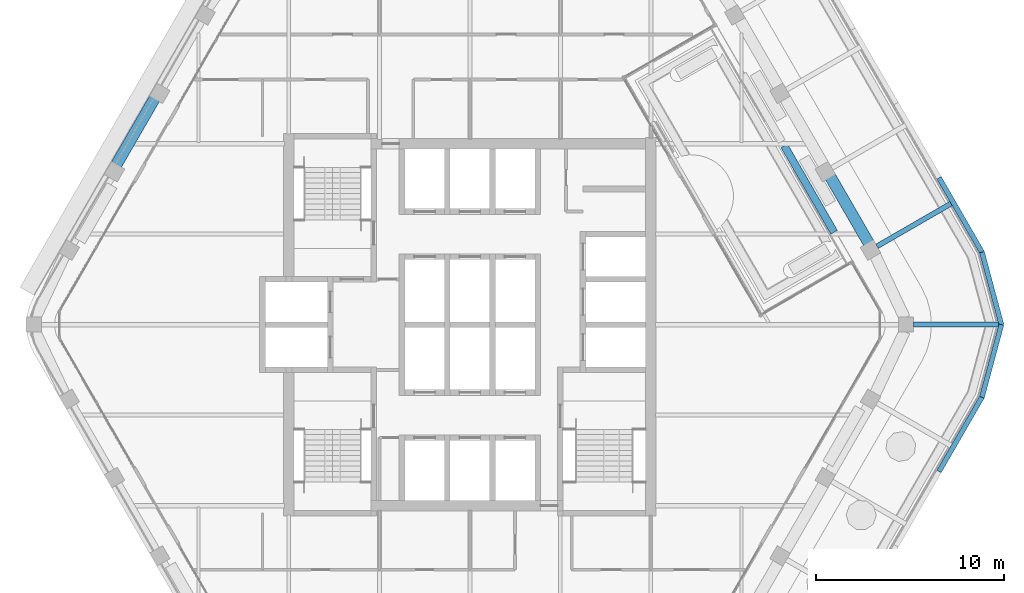
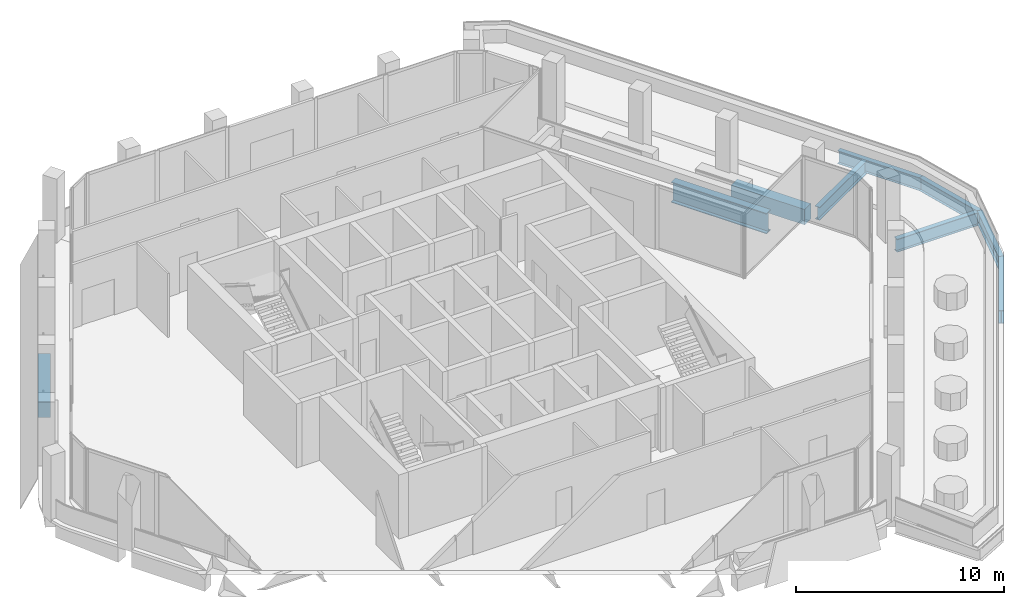
# One storey, part 5 of 17: 9 beams.
"""IFC4 building model written with IfcOpenShell, lengths in metres."""

import ifcopenshell
import ifcopenshell.guid

model = None  # the IFC model being written
_history = None  # IfcOwnerHistory: only IFC2X3 demands one
_inside = {}  # id of a spatial element -> (the spatial element, [elements in it])
_under = {}  # id of a project, library or spatial element -> (it, [spatial elements below it])
_declared = {}  # id of a project -> (the project, [libraries it declares])
_typed = {}  # id of a type object -> (the type object, [elements of that type])
_made_of = {}  # id of a material, layer set ... -> (it, [elements and type objects made of it])


def new_model(schema):
    """Start an empty IFC model of exactly this schema.

    Asked for "IFC4X3", IfcOpenShell would pick the latest addendum, in which some entities
    have other attributes; the version numbers below select the first issue.
    IFC2X3 requires an IfcOwnerHistory on every rooted entity: one is made here for all.
    """
    global model, _history
    if schema == "IFC4X3":
        model = ifcopenshell.file(schema_version=(4, 3, 0, 0))
    else:
        model = ifcopenshell.file(schema=schema)
    _inside.clear()
    _under.clear()
    _declared.clear()
    _typed.clear()
    _made_of.clear()
    _history = None
    if model.schema == "IFC2X3":
        org = make("IfcOrganization", Name="unknown")
        user = make(
            "IfcPersonAndOrganization",
            ThePerson=make("IfcPerson", FamilyName="unknown"),
            TheOrganization=org,
        )
        app = make(
            "IfcApplication",
            ApplicationDeveloper=org,
            Version="unknown",
            ApplicationFullName="unknown",
            ApplicationIdentifier="unknown",
        )
        _history = make(
            "IfcOwnerHistory",
            OwningUser=user,
            OwningApplication=app,
            ChangeAction="ADDED",
            CreationDate=0,
        )
    return model


def make(cls, **values):
    """One entity of the class cls with the attributes given. An attribute that is None is left unset."""
    return model.create_entity(
        cls, **{name: value for name, value in values.items() if value is not None}
    )


def rooted(cls, **values):
    """An entity with a GlobalId (a new one), such as an element, a storey or a relation."""
    return make(cls, GlobalId=ifcopenshell.guid.new(), OwnerHistory=_history, **values)


def si_unit(unit_type, name, prefix=None):
    """IfcSIUnit, for example si_unit("LENGTHUNIT", "METRE", prefix="MILLI")."""
    return make("IfcSIUnit", UnitType=unit_type, Prefix=prefix, Name=name)


def assignment(units):
    """IfcUnitAssignment: the units of a project."""
    return None if units is None else make("IfcUnitAssignment", Units=units)


def point(xyz):
    """IfcCartesianPoint."""
    return None if xyz is None else make("IfcCartesianPoint", Coordinates=xyz)


def direction(xyz):
    """IfcDirection."""
    return None if xyz is None else make("IfcDirection", DirectionRatios=xyz)


def frame(location, z_axis=None, x_axis=None):
    """IfcAxis2Placement3D, a coordinate frame: its origin and axes. An axis left out is left unset."""
    return make(
        "IfcAxis2Placement3D",
        Location=point(location),
        Axis=direction(z_axis),
        RefDirection=direction(x_axis),
    )


def frame_2d(location, x_axis=None):
    """IfcAxis2Placement2D, a coordinate frame in the plane: its origin and x axis."""
    return make(
        "IfcAxis2Placement2D", Location=point(location), RefDirection=direction(x_axis)
    )


def origin():
    """The frame at (0, 0, 0) with its axes left unset."""
    return frame((0.0, 0.0, 0.0))


def origin_2d():
    """The frame at (0, 0) in the plane with its x axis left unset."""
    return frame_2d((0.0, 0.0))


def place(relative_to, where):
    """IfcLocalPlacement: puts the frame where relative to a parent placement (None: the world)."""
    return make(
        "IfcLocalPlacement", PlacementRelTo=relative_to, RelativePlacement=where
    )


def context(
    kind, dimensions, precision=None, world=None, true_north=None, identifier=None
):
    """IfcGeometricRepresentationContext, for example the 3D "Model" context."""
    return make(
        "IfcGeometricRepresentationContext",
        ContextIdentifier=identifier,
        ContextType=kind,
        CoordinateSpaceDimension=dimensions,
        Precision=precision,
        WorldCoordinateSystem=world,
        TrueNorth=true_north,
    )


def subcontext(parent, identifier, kind, view, scale=None):
    """IfcGeometricRepresentationSubContext, for example "Body" below "Model"."""
    return make(
        "IfcGeometricRepresentationSubContext",
        ContextIdentifier=identifier,
        ContextType=kind,
        ParentContext=parent,
        TargetScale=scale,
        TargetView=view,
    )


def project(units=None, contexts=None):
    """IfcProject with its units and contexts."""
    return rooted(
        "IfcProject",
        Name="project",
        RepresentationContexts=contexts,
        UnitsInContext=assignment(units),
    )


def spatial(cls, under=None, at=None, **own):
    """A site, building, storey or space (cls), placed at a placement, below another one or the project."""
    s = rooted(cls, ObjectPlacement=at, **own)
    if under is not None:
        _under.setdefault(under.id(), (under, []))[1].append(s)
    return s


def profile(cls, at=None, kind="AREA", **sizes):
    """A parametric profile (cls). Its sizes go by their IFC names, for example OverallWidth=200.0."""
    return make(cls, ProfileType=kind, Position=at, **sizes)


def rectangle(**sizes):
    """IfcRectangleProfileDef."""
    return profile("IfcRectangleProfileDef", **sizes)


def i_section(**sizes):
    """IfcIShapeProfileDef."""
    return profile("IfcIShapeProfileDef", **sizes)


def extrude(swept, where, along, depth):
    """IfcExtrudedAreaSolid: the profile swept, set in the frame where, extruded along a direction by depth."""
    return make(
        "IfcExtrudedAreaSolid",
        SweptArea=swept,
        Position=where,
        ExtrudedDirection=direction(along),
        Depth=depth,
    )


def shape(context_of_items, identifier, shape_type, items):
    """IfcShapeRepresentation: the items that make up one representation, for example the "Body"."""
    return make(
        "IfcShapeRepresentation",
        ContextOfItems=context_of_items,
        RepresentationIdentifier=identifier,
        RepresentationType=shape_type,
        Items=items,
    )


def material(Name=None, Category=None):
    """IfcMaterial."""
    return make("IfcMaterial", Name=Name, Category=Category)


def material_profile(
    of_material, cross_section, Name=None, Category=None, Priority=None
):
    """IfcMaterialProfile: a cross section and its material."""
    return make(
        "IfcMaterialProfile",
        Name=Name,
        Material=of_material,
        Profile=cross_section,
        Priority=Priority,
        Category=Category,
    )


def profile_set(profiles, Name=None, composite=None):
    """IfcMaterialProfileSet."""
    return make(
        "IfcMaterialProfileSet",
        Name=Name,
        MaterialProfiles=profiles,
        CompositeProfile=composite,
    )


def made_of(thing, what):
    """Note that an element or type object is made of a material, layer set ...; save() writes the relation."""
    if what is not None:
        _made_of.setdefault(what.id(), (what, []))[1].append(thing)
    return thing


def type_object(cls, material=None, **own):
    """A type object (cls), such as IfcWallType, which elements share."""
    return made_of(rooted(cls, **own), material)


def element(
    cls,
    number,
    at=None,
    inside=None,
    cuts=None,
    type_object=None,
    material=None,
    context=None,
    identifier="Body",
    shape_type=None,
    held_by="IfcProductDefinitionShape",
    body=None,
    shapes=None,
    **own,
):
    """One element of the class cls, such as IfcWall. Its Tag is "e" and its number.

    at: its placement. inside: the storey or other place that contains it. cuts: it is an
    opening in that element (IfcRelVoidsElement). A single representation is given by context,
    identifier, shape_type and body (its items); several are given by shapes. held_by: the class
    of the entity that holds the representations. save() writes the other relations.
    """
    e = rooted(cls, Tag="e%d" % number, ObjectPlacement=at, **own)
    if body is not None:
        shapes = [shape(context, identifier, shape_type, body)]
    if shapes is not None:
        e.Representation = make(held_by, Representations=shapes)
    if inside is not None:
        _inside.setdefault(inside.id(), (inside, []))[1].append(e)
    if cuts is not None:
        rooted(
            "IfcRelVoidsElement", RelatingBuildingElement=cuts, RelatedOpeningElement=e
        )
    if type_object is not None:
        _typed.setdefault(type_object.id(), (type_object, []))[1].append(e)
    return made_of(e, material)


def aggregate(whole, parts):
    """IfcRelAggregates: a whole, such as a stair, and the parts it consists of."""
    return rooted("IfcRelAggregates", RelatingObject=whole, RelatedObjects=parts)


def save(model, path):
    """Write the relations noted so far, then the file.

    IfcRelAggregates (storeys below a building ...), IfcRelContainedInSpatialStructure (elements
    in a storey), IfcRelDefinesByType, IfcRelAssociatesMaterial and IfcRelDeclares: one each for
    every whole, place, type object, material and project.
    """
    for whole, parts in _under.values():
        aggregate(whole, parts)
    for where, things in _inside.values():
        rooted(
            "IfcRelContainedInSpatialStructure",
            RelatedElements=things,
            RelatingStructure=where,
        )
    for kind, things in _typed.values():
        rooted("IfcRelDefinesByType", RelatedObjects=things, RelatingType=kind)
    for what, things in _made_of.values():
        rooted("IfcRelAssociatesMaterial", RelatedObjects=things, RelatingMaterial=what)
    for by, libraries in _declared.values():
        rooted("IfcRelDeclares", RelatingContext=by, RelatedDefinitions=libraries)
    model.write(path)


model = new_model("IFC4")

# Units and contexts
model_context = context("Model", 3, precision=1e-05, world=origin(), true_north=direction((0.0, 1.0)))
body_context = subcontext(model_context, "Body", "Model", "MODEL_VIEW")
ifc_project = project(units=[si_unit("LENGTHUNIT", "METRE"), si_unit("AREAUNIT", "SQUARE_METRE"), si_unit("VOLUMEUNIT", "CUBIC_METRE"), si_unit("PLANEANGLEUNIT", "RADIAN"), si_unit("MASSUNIT", "GRAM", prefix="KILO")], contexts=[model_context])

# Site, building, storey
site_placement = place(None, origin())
site = spatial("IfcSite", under=ifc_project, at=site_placement, CompositionType="ELEMENT")
building_placement = place(site_placement, origin())
building = spatial("IfcBuilding", under=site, at=building_placement, Name="Kolab Exchange Tower", CompositionType="ELEMENT")
storey_placement = place(building_placement, frame((0.0, 0.0, 285.199951171875)))
storey = spatial("IfcBuildingStorey", under=building, at=storey_placement, Name="L64", CompositionType="ELEMENT", Elevation=285.199951171875)

# Beams
ifc_material_1 = material(Name="Steel S355", Category="steel")
ifc_material_profile_1 = material_profile(ifc_material_1, i_section(OverallWidth=0.39990234375, OverallDepth=1.199951171875, WebThickness=0.02490234375, FlangeThickness=0.0400390625, at=origin_2d()), Name="PG1200X400")
ifc_profile_set_1 = profile_set([ifc_material_profile_1], Name="Steel S355")
beam_type_1 = type_object("IfcBeamType", Name="FLOOR BEAM PG1200X400", PredefinedType="BEAM", material=ifc_profile_set_1)
beam_1_placement = place(storey_placement, frame((16.677001953125, 9.486083984375, -0.75), z_axis=(0.499980785011, -0.866036497279, 0.0), x_axis=(0.866036497279, 0.499980785011, 0.0)))
element("IfcBeam", 1, at=beam_1_placement, inside=storey, type_object=beam_type_1, Name="beam/L64/fr/024", PredefinedType="BEAM", context=body_context, shape_type="SweptSolid", body=[
    extrude(i_section(OverallWidth=0.39990234375, OverallDepth=1.199951171875, WebThickness=0.02490234375, FlangeThickness=0.0400390625, at=origin_2d()), origin(), (0.0, 0.0, 1.0), 5.290283203125),
])
ifc_material_profile_2 = material_profile(ifc_material_1, i_section(OverallWidth=0.26708984375, OverallDepth=0.761962890625, WebThickness=0.014404296875, FlangeThickness=0.021484375, at=origin_2d()), Name="W760X173")
ifc_profile_set_2 = profile_set([ifc_material_profile_2], Name="Steel S355")
beam_type_2 = type_object("IfcBeamType", Name="FLOOR GIRDER W760X173", PredefinedType="BEAM", material=ifc_profile_set_2)
beam_2_placement = place(storey_placement, frame((21.60009765625, 4.156982421875, -0.591064453125), z_axis=(0.866030417568, 0.499991315771, 0.0), x_axis=(-0.499991315771, 0.866030417568, 0.0)))
element("IfcBeam", 2, at=beam_2_placement, inside=storey, type_object=beam_type_2, Name="beam/L64/ledge/rib-04", PredefinedType="BEAM", context=body_context, shape_type="SweptSolid", body=[
    extrude(i_section(OverallWidth=0.26708984375, OverallDepth=0.761962890625, WebThickness=0.014404296875, FlangeThickness=0.021484375, at=origin_2d()), origin(), (0.0, 0.0, 1.0), 4.53271484375),
])
beam_3_placement = place(storey_placement, frame((23.535888671875, 0.0, -0.591064453125), z_axis=(1.0, 0.0, 0.0), x_axis=(0.0, 1.0, 0.0)))
element("IfcBeam", 3, at=beam_3_placement, inside=storey, type_object=beam_type_2, Name="beam/L64/ledge/rib-05", PredefinedType="BEAM", context=body_context, shape_type="SweptSolid", body=[
    extrude(i_section(OverallWidth=0.26708984375, OverallDepth=0.761962890625, WebThickness=0.014404296875, FlangeThickness=0.021484375, at=origin_2d()), origin(), (0.0, 0.0, 1.0), 4.532958984375),
])
beam_4_placement = place(storey_placement, frame((24.890380859375, 7.791015625, -0.591064453125), z_axis=(0.499974680739, -0.866040021373, 0.0), x_axis=(0.866040021373, 0.499974680739, 0.0)))
element("IfcBeam", 4, at=beam_4_placement, inside=storey, type_object=beam_type_2, Name="beam/L64/ledge/edge-05", PredefinedType="BEAM", context=body_context, shape_type="SweptSolid", body=[
    extrude(i_section(OverallWidth=0.26708984375, OverallDepth=0.761962890625, WebThickness=0.014404296875, FlangeThickness=0.021484375, at=origin_2d()), origin(), (0.0, 0.0, 1.0), 4.552490234375),
])
for number, where, z_axis, x_axis, name in (
    (5, (27.16650390625, 3.848388671875, -0.591064453125), (0.258837161991, -0.965920971701, 0.0), (0.965920971701, 0.258837161991, 0.0), "beam/L64/ledge/edge-06"),
    (6, (28.19775390625, 0.0, -0.591064453125), (-0.258837161991, -0.965920971701, 0.0), (0.965920971701, -0.258837161991, 0.0), "beam/L64/ledge/edge-07"),
):
    element("IfcBeam", number, at=place(storey_placement, frame(where, z_axis=z_axis, x_axis=x_axis)), inside=storey, type_object=beam_type_2, Name=name, PredefinedType="BEAM", context=body_context, shape_type="SweptSolid", body=[
        extrude(i_section(OverallWidth=0.26708984375, OverallDepth=0.761962890625, WebThickness=0.014404296875, FlangeThickness=0.021484375, at=origin_2d()), origin(), (0.0, 0.0, 1.0), 3.984130859375),
    ])
beam_5_placement = place(storey_placement, frame((27.16650390625, -3.848388671875, -0.591064453125), z_axis=(-0.499974680739, -0.866040021373, 0.0), x_axis=(0.866040021373, -0.499974680739, 0.0)))
element("IfcBeam", 7, at=beam_5_placement, inside=storey, type_object=beam_type_2, Name="beam/L64/ledge/edge-08", PredefinedType="BEAM", context=body_context, shape_type="SweptSolid", body=[
    extrude(i_section(OverallWidth=0.26708984375, OverallDepth=0.761962890625, WebThickness=0.014404296875, FlangeThickness=0.021484375, at=origin_2d()), origin(), (0.0, 0.0, 1.0), 4.552490234375),
])
ifc_material_2 = material(Name="Concrete C50/60", Category="concrete")
ifc_material_profile_3 = material_profile(ifc_material_2, rectangle(XDim=0.60009765625, YDim=0.89990234375, at=origin_2d()), Name="RC600X900")
ifc_profile_set_3 = profile_set([ifc_material_profile_3], Name="Concrete C50/60")
beam_type_3 = type_object("IfcBeamType", Name="SPANDREL BEAM 600X900 C50/60", PredefinedType="BEAM", material=ifc_profile_set_3)
for number, where, z_axis, x_axis, name in (
    (8, (19.1201171875, 7.85205078125, -0.599853515625), (0.500000428765, -0.866025156237, 0.0), (0.866025156237, 0.500000428765, 0.0), "beam/L64/sp/F2-04"),
    (9, (-18.76025390625, 8.4755859375, -0.599853515625), (0.500000428765, 0.866025156237, 0.0), (-0.866025156237, 0.500000428765, 0.0), "beam/L64/sp/F6-03"),
):
    element("IfcBeam", number, at=place(storey_placement, frame(where, z_axis=z_axis, x_axis=x_axis)), inside=storey, type_object=beam_type_3, Name=name, PredefinedType="BEAM", context=body_context, shape_type="SweptSolid", body=[
        extrude(rectangle(XDim=0.60009765625, YDim=0.89990234375, at=origin_2d()), origin(), (0.0, 0.0, 1.0), 4.080078125),
    ])

save(model, "model.ifc")
